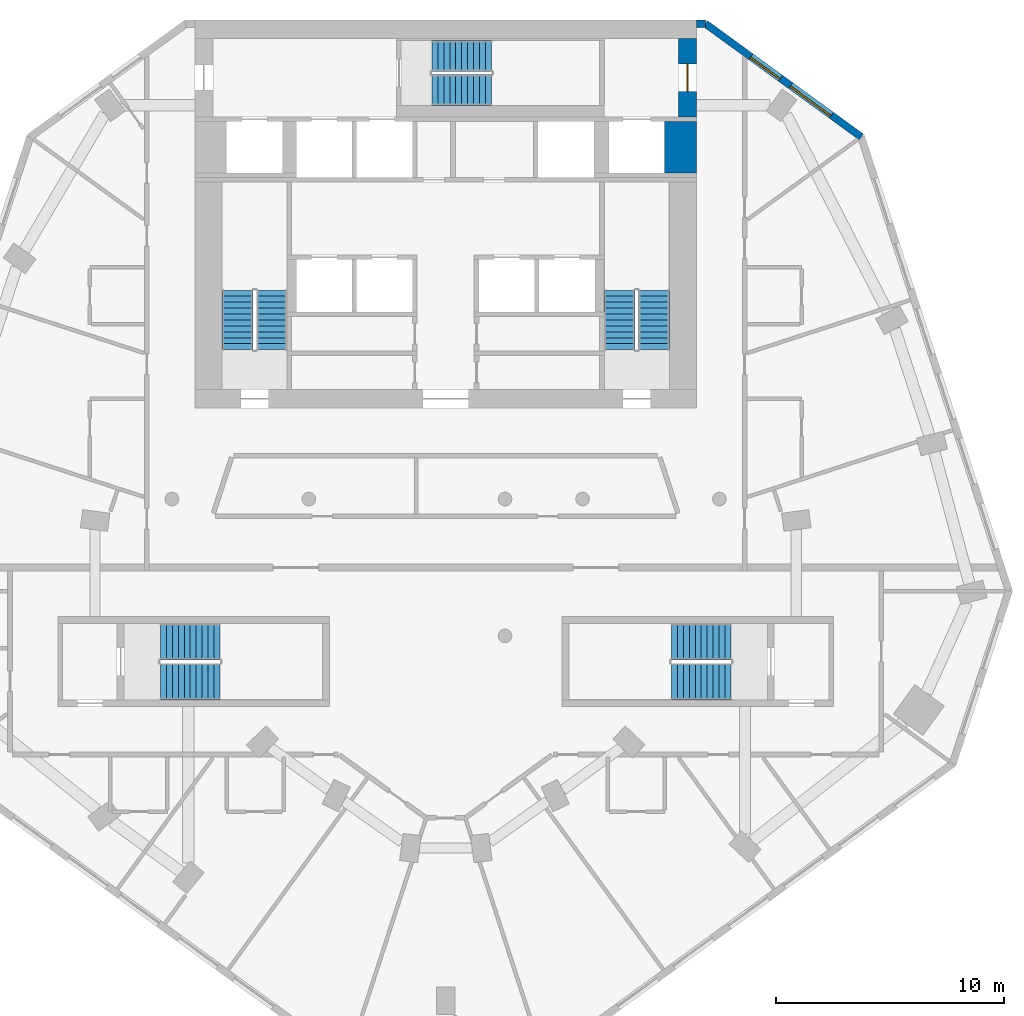
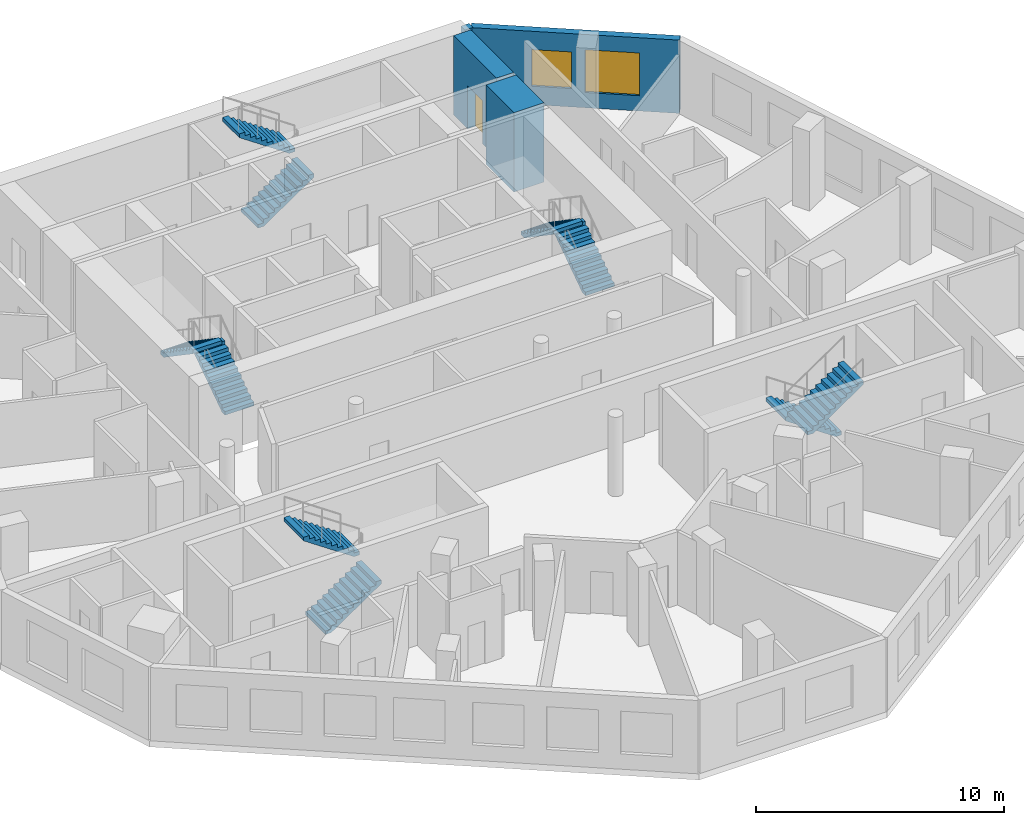
# One storey, part 7 of 9: 10 stair flights, 4 walls, 2 windows, 1 door, 3 openings, 5 elements without a shape of their own.
"""IFC4 building model written with IfcOpenShell, lengths in metres."""

from ifc_helpers import new_model, si_unit, direction, frame, frame_2d, origin, place, context, subcontext, project, spatial, polyline, rectangle, outline, extrude, material, layer, layer_set, type_object, element, fill, aggregate, save


model = new_model("IFC4")

# Units and contexts
model_context = context("Model", 3, precision=1e-05, world=origin(), true_north=direction((0.0, 1.0)))
body_context = subcontext(model_context, "Body", "Model", "MODEL_VIEW")
ifc_project = project(units=[si_unit("LENGTHUNIT", "METRE"), si_unit("AREAUNIT", "SQUARE_METRE"), si_unit("VOLUMEUNIT", "CUBIC_METRE"), si_unit("PLANEANGLEUNIT", "RADIAN"), si_unit("MASSUNIT", "GRAM", prefix="KILO")], contexts=[model_context])

# Site, building, storey
site_placement = place(None, origin())
site = spatial("IfcSite", under=ifc_project, at=site_placement, CompositionType="ELEMENT")
building_placement = place(site_placement, origin())
building = spatial("IfcBuilding", under=site, at=building_placement, Name="White Candle Pilgrim Tower", CompositionType="ELEMENT")
storey_placement = place(building_placement, frame((0.0, 0.0, 216.0)))
storey = spatial("IfcBuildingStorey", under=building, at=storey_placement, Name="L50", CompositionType="ELEMENT", Elevation=216.0)

# Wall
ifc_material_1 = material(Name="Concrete C50/60", Category="concrete")
ifc_layer_1 = layer(ifc_material_1, 1.39990234375)
ifc_layer_set_1 = layer_set([ifc_layer_1], Name="Core wall 1400 mm Concrete C50/60")
wall_type_1 = type_object("IfcWallType", Name="Core wall 1400 mm Concrete C50/60", PredefinedType="SHEAR", material=ifc_layer_set_1)
wall_1_placement = place(storey_placement, frame((80.300048828125, 81.300048828125, 0.0), z_axis=(0.0, 0.0, 1.0), x_axis=(0.0, 1.0, 0.0)))
element("IfcWall", 1, at=wall_1_placement, inside=storey, type_object=wall_type_1, Name="WL-L50-C46", PredefinedType="SHEAR", context=body_context, shape_type="SweptSolid", body=[
    extrude(rectangle(XDim=2.25, YDim=1.39990234375, at=frame_2d((1.125, 0.0))), origin(), (0.0, 0.0, 1.0), 3.89990234375),
])

# Wall, opening, door
ifc_layer_2 = layer(ifc_material_1, 0.800048828125)
ifc_layer_set_2 = layer_set([ifc_layer_2], Name="Core wall 800 mm Concrete C50/60")
wall_type_2 = type_object("IfcWallType", Name="Core wall 800 mm Concrete C50/60", PredefinedType="SHEAR", material=ifc_layer_set_2)
wall_2_placement = place(storey_placement, frame((80.60009765625, 83.75, 0.0), z_axis=(0.0, 0.0, 1.0), x_axis=(0.0, 1.0, 0.0)))
wall_2 = element("IfcWall", 2, at=wall_2_placement, inside=storey, type_object=wall_type_2, Name="WL-L50-C50", PredefinedType="SHEAR", context=body_context, shape_type="SweptSolid", body=[
    extrude(rectangle(XDim=3.449951171875, YDim=0.800048828125, at=frame_2d((1.72509765625, 0.0))), origin(), (0.0, 0.0, 1.0), 3.89990234375),
])
opening_1_placement = place(wall_2_placement, frame((1.125, 0.0, 0.0)))
opening_1 = element("IfcOpeningElement", 3, at=opening_1_placement, cuts=wall_2, Name="Opening T15-010", PredefinedType="OPENING", context=body_context, shape_type="SweptSolid", body=[
    extrude(rectangle(XDim=1.199951171875, YDim=2.10009765625, at=frame_2d((0.60009765625, 1.050048828125))), frame((0.0, 0.409912109375, 0.0), z_axis=(0.0, -1.0, 0.0), x_axis=(1.0, 0.0, 0.0)), (0.0, 0.0, 1.0), 0.820068359375),
])
ifc_material_2 = material(Name="Steel door leaf", Category="steel")
door_type = type_object("IfcDoorType", Name="Fire door 1200 x 2100 EI 30", OperationType="NOTDEFINED", PredefinedType="DOOR", material=ifc_material_2)
door_placement = place(opening_1_placement, origin())
door = element("IfcDoor", 4, at=door_placement, inside=storey, type_object=door_type, Name="Door T15-010", OperationType="SINGLE_SWING_RIGHT", OverallHeight=2.10009765625, OverallWidth=1.199951171875, PredefinedType="DOOR", context=body_context, shape_type="SweptSolid", body=[
    extrude(rectangle(XDim=1.199951171875, YDim=2.10009765625, at=frame_2d((0.60009765625, 1.050048828125))), frame((0.0, 0.02490234375, 0.0), z_axis=(0.0, -1.0, 0.0), x_axis=(1.0, 0.0, 0.0)), (0.0, 0.0, 1.0), 0.050048828125),
])
fill(opening_1, door)

# Wall, openings, windows
ifc_material_3 = material(Name="Precast concrete C40/50", Category="concrete")
ifc_layer_3 = layer(ifc_material_3, 0.320068359375)
ifc_layer_set_3 = layer_set([ifc_layer_3], Name="Facade wall EW1 precast concrete C40/50 pier wall with timber-lined reveals")
wall_type_3 = type_object("IfcWallType", Name="Facade wall EW1 precast concrete C40/50 pier wall with timber-lined reveals", PredefinedType="SOLIDWALL", material=ifc_layer_set_3)
wall_3_placement = place(storey_placement, frame((88.2177734375, 82.875732421875, 0.0), z_axis=(0.0, 0.0, 1.0), x_axis=(-0.809013499188, 0.587790062975, 0.0)))
wall_3 = element("IfcWall", 5, at=wall_3_placement, inside=storey, type_object=wall_type_3, Name="Facade wall L50 NE chamfer", PredefinedType="SOLIDWALL", context=body_context, shape_type="SweptSolid", body=[
    extrude(rectangle(XDim=8.44580078125, YDim=0.320068359375, at=frame_2d((4.222900390625, 0.0))), origin(), (0.0, 0.0, 1.0), 3.60009765625),
])
opening_2_placement = place(wall_3_placement, frame((1.622802734375, 0.0, 0.75)))
opening_2 = element("IfcOpeningElement", 6, at=opening_2_placement, cuts=wall_3, Name="Opening W4", PredefinedType="OPENING", context=body_context, shape_type="SweptSolid", body=[
    extrude(rectangle(XDim=2.199951171875, YDim=2.10009765625, at=frame_2d((1.10009765625, 1.050048828125))), frame((0.0, 0.169921875, 0.0), z_axis=(0.0, -1.0, 0.0), x_axis=(1.0, 0.0, 0.0)), (0.0, 0.0, 1.0), 0.340087890625),
])
opening_3_placement = place(wall_3_placement, frame((4.37939453125, 0.0, 0.89990234375)))
opening_3 = element("IfcOpeningElement", 7, at=opening_3_placement, cuts=wall_3, Name="Opening W2", PredefinedType="OPENING", context=body_context, shape_type="SweptSolid", body=[
    extrude(rectangle(XDim=1.60009765625, YDim=1.800048828125, at=frame_2d((0.800048828125, 0.89990234375))), frame((0.0, 0.169921875, 0.0), z_axis=(0.0, -1.0, 0.0), x_axis=(1.0, 0.0, 0.0)), (0.0, 0.0, 1.0), 0.340087890625),
])
ifc_material_4 = material(Name="Timber frame with triple glazing", Category="wood")
window_type_1 = type_object("IfcWindowType", Name="Window W2 1600x1800 timber frame triple glazing", PartitioningType="SINGLE_PANEL", PredefinedType="WINDOW", material=ifc_material_4)
window_1_placement = place(opening_3_placement, origin())
window_1 = element("IfcWindow", 8, at=window_1_placement, inside=storey, type_object=window_type_1, Name="Window W2 L50 NE chamfer 2", OverallHeight=1.800048828125, OverallWidth=1.60009765625, PartitioningType="SINGLE_PANEL", PredefinedType="WINDOW", context=body_context, shape_type="SweptSolid", body=[
    extrude(rectangle(XDim=1.60009765625, YDim=1.800048828125, at=frame_2d((0.800048828125, 0.89990234375))), frame((0.0, 0.070068359375, 0.0), z_axis=(0.0, -1.0, 0.0), x_axis=(1.0, 0.0, 0.0)), (0.0, 0.0, 1.0), 0.06005859375),
])
fill(opening_3, window_1)
window_type_2 = type_object("IfcWindowType", Name="Window W4 2200x2100 timber frame triple glazing", PartitioningType="SINGLE_PANEL", PredefinedType="WINDOW", material=ifc_material_4)
window_2_placement = place(opening_2_placement, origin())
window_2 = element("IfcWindow", 9, at=window_2_placement, inside=storey, type_object=window_type_2, Name="Window W4 L50 NE chamfer 1", OverallHeight=2.10009765625, OverallWidth=2.199951171875, PartitioningType="SINGLE_PANEL", PredefinedType="WINDOW", context=body_context, shape_type="SweptSolid", body=[
    extrude(rectangle(XDim=2.199951171875, YDim=2.10009765625, at=frame_2d((1.10009765625, 1.050048828125))), frame((0.0, 0.070068359375, 0.0), z_axis=(0.0, -1.0, 0.0), x_axis=(1.0, 0.0, 0.0)), (0.0, 0.0, 1.0), 0.06005859375),
])
fill(opening_2, window_2)

# Wall
wall_4_placement = place(storey_placement, frame((81.385009765625, 87.840087890625, 0.0), z_axis=(0.0, 0.0, 1.0), x_axis=(-1.0, 0.0, 0.0)))
element("IfcWall", 10, at=wall_4_placement, inside=storey, type_object=wall_type_3, Name="Facade wall L50 N", PredefinedType="SOLIDWALL", context=body_context, shape_type="SweptSolid", body=[
    extrude(rectangle(XDim=0.385009765625, YDim=0.320068359375, at=frame_2d((0.1923828125, 0.0))), origin(), (0.0, 0.0, 1.0), 3.60009765625),
])

# Stair, stair flights
ifc_material_5 = material(Name="Concrete C40/50", Category="concrete")
stair_type_1 = type_object("IfcStairType", Name="Exit stair 1 flight width 1350 mm", PredefinedType="HALF_TURN_STAIR", material=ifc_material_5)
stair_1_placement = place(storey_placement, origin())
stair_1 = element("IfcStair", 11, at=stair_1_placement, inside=storey, type_object=stair_type_1, Name="L50 stair 1", PredefinedType="NOTDEFINED")
ifc_layer_4 = layer(ifc_material_5, 0.14990234375)
ifc_layer_set_4 = layer_set([ifc_layer_4], Name="Stair flight Concrete C40/50")
stair_flight_type = type_object("IfcStairFlightType", Name="Stair flight Concrete C40/50", PredefinedType="STRAIGHT", material=ifc_layer_set_4)
stair_flight_1_placement = place(storey_placement, frame((62.375, 73.550048828125, 0.0), z_axis=(0.0, 0.0, 1.0), x_axis=(0.0, 1.0, 0.0)))
stair_flight_1 = element("IfcStairFlight", 12, at=stair_flight_1_placement, type_object=stair_flight_type, Name="ST1 flight 1", NumberOfRisers=11, NumberOfTreads=10, PredefinedType="NOTDEFINED", RiserHeight=0.177272727, TreadLength=0.26, context=body_context, shape_type="SweptSolid", body=[
    extrude(outline(polyline([(0.0, 0.0), (0.0, 0.17724609375), (0.260009765625, 0.17724609375), (0.260009765625, 0.3544921875), (0.52001953125, 0.3544921875), (0.52001953125, 0.53173828125), (0.780029296875, 0.53173828125), (0.780029296875, 0.708984375), (1.0400390625, 0.708984375), (1.0400390625, 0.886474609375), (1.300048828125, 0.886474609375), (1.300048828125, 1.063720703125), (1.56005859375, 1.063720703125), (1.56005859375, 1.240966796875), (1.820068359375, 1.240966796875), (1.820068359375, 1.418212890625), (2.080078125, 1.418212890625), (2.080078125, 1.595458984375), (2.340087890625, 1.595458984375), (2.340087890625, 1.772705078125), (2.60009765625, 1.772705078125), (2.60009765625, 1.949951171875), (2.60009765625, 1.59130859375), (0.26611328125, 0.0), (0.0, 0.0)])), frame((0.0, 0.675048828125, 0.0), z_axis=(0.0, -1.0, 0.0), x_axis=(1.0, 0.0, 0.0)), (0.0, 0.0, 1.0), 1.35009765625),
])
stair_flight_2_placement = place(storey_placement, frame((60.875, 76.14990234375, 1.949951171875), z_axis=(0.0, 0.0, 1.0), x_axis=(0.0, -1.0, 0.0)))
stair_flight_2 = element("IfcStairFlight", 13, at=stair_flight_2_placement, type_object=stair_flight_type, Name="ST1 flight 2", NumberOfRisers=11, NumberOfTreads=10, PredefinedType="NOTDEFINED", RiserHeight=0.177272727, TreadLength=0.26, context=body_context, shape_type="SweptSolid", body=[
    extrude(outline(polyline([(0.0, 0.0), (0.0, 0.17724609375), (0.260009765625, 0.17724609375), (0.260009765625, 0.3544921875), (0.52001953125, 0.3544921875), (0.52001953125, 0.53173828125), (0.780029296875, 0.53173828125), (0.780029296875, 0.708984375), (1.0400390625, 0.708984375), (1.0400390625, 0.886474609375), (1.300048828125, 0.886474609375), (1.300048828125, 1.063720703125), (1.56005859375, 1.063720703125), (1.56005859375, 1.240966796875), (1.820068359375, 1.240966796875), (1.820068359375, 1.418212890625), (2.080078125, 1.418212890625), (2.080078125, 1.595458984375), (2.340087890625, 1.595458984375), (2.340087890625, 1.772705078125), (2.60009765625, 1.772705078125), (2.60009765625, 1.949951171875), (2.60009765625, 1.59130859375), (0.26611328125, 0.0), (0.0, 0.0)])), frame((0.0, 0.675048828125, 0.0), z_axis=(0.0, -1.0, 0.0), x_axis=(1.0, 0.0, 0.0)), (0.0, 0.0, 1.0), 1.35009765625),
])
aggregate(stair_1, [stair_flight_1, stair_flight_2])

stair_type_2 = type_object("IfcStairType", Name="Exit stair 2 flight width 1350 mm", PredefinedType="HALF_TURN_STAIR", material=ifc_material_5)
stair_2_placement = place(storey_placement, origin())
stair_2 = element("IfcStair", 14, at=stair_2_placement, inside=storey, type_object=stair_type_2, Name="L50 stair 2", PredefinedType="NOTDEFINED")
stair_flight_3_placement = place(storey_placement, frame((79.125, 73.550048828125, 0.0), z_axis=(0.0, 0.0, 1.0), x_axis=(0.0, 1.0, 0.0)))
stair_flight_3 = element("IfcStairFlight", 15, at=stair_flight_3_placement, type_object=stair_flight_type, Name="ST2 flight 1", NumberOfRisers=11, NumberOfTreads=10, PredefinedType="NOTDEFINED", RiserHeight=0.177272727, TreadLength=0.26, context=body_context, shape_type="SweptSolid", body=[
    extrude(outline(polyline([(0.0, 0.0), (0.0, 0.17724609375), (0.260009765625, 0.17724609375), (0.260009765625, 0.3544921875), (0.52001953125, 0.3544921875), (0.52001953125, 0.53173828125), (0.780029296875, 0.53173828125), (0.780029296875, 0.708984375), (1.0400390625, 0.708984375), (1.0400390625, 0.886474609375), (1.300048828125, 0.886474609375), (1.300048828125, 1.063720703125), (1.56005859375, 1.063720703125), (1.56005859375, 1.240966796875), (1.820068359375, 1.240966796875), (1.820068359375, 1.418212890625), (2.080078125, 1.418212890625), (2.080078125, 1.595458984375), (2.340087890625, 1.595458984375), (2.340087890625, 1.772705078125), (2.60009765625, 1.772705078125), (2.60009765625, 1.949951171875), (2.60009765625, 1.59130859375), (0.26611328125, 0.0), (0.0, 0.0)])), frame((0.0, 0.675048828125, 0.0), z_axis=(0.0, -1.0, 0.0), x_axis=(1.0, 0.0, 0.0)), (0.0, 0.0, 1.0), 1.35009765625),
])
stair_flight_4_placement = place(storey_placement, frame((77.625, 76.14990234375, 1.949951171875), z_axis=(0.0, 0.0, 1.0), x_axis=(0.0, -1.0, 0.0)))
stair_flight_4 = element("IfcStairFlight", 16, at=stair_flight_4_placement, type_object=stair_flight_type, Name="ST2 flight 2", NumberOfRisers=11, NumberOfTreads=10, PredefinedType="NOTDEFINED", RiserHeight=0.177272727, TreadLength=0.26, context=body_context, shape_type="SweptSolid", body=[
    extrude(outline(polyline([(0.0, 0.0), (0.0, 0.17724609375), (0.260009765625, 0.17724609375), (0.260009765625, 0.3544921875), (0.52001953125, 0.3544921875), (0.52001953125, 0.53173828125), (0.780029296875, 0.53173828125), (0.780029296875, 0.708984375), (1.0400390625, 0.708984375), (1.0400390625, 0.886474609375), (1.300048828125, 0.886474609375), (1.300048828125, 1.063720703125), (1.56005859375, 1.063720703125), (1.56005859375, 1.240966796875), (1.820068359375, 1.240966796875), (1.820068359375, 1.418212890625), (2.080078125, 1.418212890625), (2.080078125, 1.595458984375), (2.340087890625, 1.595458984375), (2.340087890625, 1.772705078125), (2.60009765625, 1.772705078125), (2.60009765625, 1.949951171875), (2.60009765625, 1.59130859375), (0.26611328125, 0.0), (0.0, 0.0)])), frame((0.0, 0.675048828125, 0.0), z_axis=(0.0, -1.0, 0.0), x_axis=(1.0, 0.0, 0.0)), (0.0, 0.0, 1.0), 1.35009765625),
])
aggregate(stair_2, [stair_flight_3, stair_flight_4])

stair_type_3 = type_object("IfcStairType", Name="Exit stair 3 flight width 1350 mm", PredefinedType="HALF_TURN_STAIR", material=ifc_material_5)
stair_3_placement = place(storey_placement, origin())
stair_3 = element("IfcStair", 17, at=stair_3_placement, inside=storey, type_object=stair_type_3, Name="L50 stair 3", PredefinedType="NOTDEFINED")
stair_flight_5_placement = place(storey_placement, frame((69.39990234375, 84.925048828125, 0.0), z_axis=(0.0, 0.0, 1.0), x_axis=(1.0, 0.0, 0.0)))
stair_flight_5 = element("IfcStairFlight", 18, at=stair_flight_5_placement, type_object=stair_flight_type, Name="ST3 flight 1", NumberOfRisers=11, NumberOfTreads=10, PredefinedType="NOTDEFINED", RiserHeight=0.177272727, TreadLength=0.26, context=body_context, shape_type="SweptSolid", body=[
    extrude(outline(polyline([(0.0, 0.0), (0.0, 0.17724609375), (0.260009765625, 0.17724609375), (0.260009765625, 0.3544921875), (0.52001953125, 0.3544921875), (0.52001953125, 0.53173828125), (0.780029296875, 0.53173828125), (0.780029296875, 0.708984375), (1.0400390625, 0.708984375), (1.0400390625, 0.886474609375), (1.300048828125, 0.886474609375), (1.300048828125, 1.063720703125), (1.56005859375, 1.063720703125), (1.56005859375, 1.240966796875), (1.820068359375, 1.240966796875), (1.820068359375, 1.418212890625), (2.080078125, 1.418212890625), (2.080078125, 1.595458984375), (2.340087890625, 1.595458984375), (2.340087890625, 1.772705078125), (2.60009765625, 1.772705078125), (2.60009765625, 1.949951171875), (2.60009765625, 1.59130859375), (0.26611328125, 0.0), (0.0, 0.0)])), frame((0.0, 0.675048828125, 0.0), z_axis=(0.0, -1.0, 0.0), x_axis=(1.0, 0.0, 0.0)), (0.0, 0.0, 1.0), 1.35009765625),
])
stair_flight_6_placement = place(storey_placement, frame((72.0, 86.425048828125, 1.949951171875), z_axis=(0.0, 0.0, 1.0), x_axis=(-1.0, 0.0, 0.0)))
stair_flight_6 = element("IfcStairFlight", 19, at=stair_flight_6_placement, type_object=stair_flight_type, Name="ST3 flight 2", NumberOfRisers=11, NumberOfTreads=10, PredefinedType="NOTDEFINED", RiserHeight=0.177272727, TreadLength=0.26, context=body_context, shape_type="SweptSolid", body=[
    extrude(outline(polyline([(0.0, 0.0), (0.0, 0.17724609375), (0.260009765625, 0.17724609375), (0.260009765625, 0.3544921875), (0.52001953125, 0.3544921875), (0.52001953125, 0.53173828125), (0.780029296875, 0.53173828125), (0.780029296875, 0.708984375), (1.0400390625, 0.708984375), (1.0400390625, 0.886474609375), (1.300048828125, 0.886474609375), (1.300048828125, 1.063720703125), (1.56005859375, 1.063720703125), (1.56005859375, 1.240966796875), (1.820068359375, 1.240966796875), (1.820068359375, 1.418212890625), (2.080078125, 1.418212890625), (2.080078125, 1.595458984375), (2.340087890625, 1.595458984375), (2.340087890625, 1.772705078125), (2.60009765625, 1.772705078125), (2.60009765625, 1.949951171875), (2.60009765625, 1.59130859375), (0.26611328125, 0.0), (0.0, 0.0)])), frame((0.0, 0.675048828125, 0.0), z_axis=(0.0, -1.0, 0.0), x_axis=(1.0, 0.0, 0.0)), (0.0, 0.0, 1.0), 1.35009765625),
])
aggregate(stair_3, [stair_flight_5, stair_flight_6])

stair_type_4 = type_object("IfcStairType", Name="Exit stair 4 flight width 1600 mm", PredefinedType="HALF_TURN_STAIR", material=ifc_material_5)
stair_4_placement = place(storey_placement, origin())
stair_4 = element("IfcStair", 20, at=stair_4_placement, inside=storey, type_object=stair_type_4, Name="L50 stair 4", PredefinedType="NOTDEFINED")
stair_flight_7_placement = place(storey_placement, frame((82.5, 60.75, 0.0), z_axis=(0.0, 0.0, 1.0), x_axis=(-1.0, 0.0, 0.0)))
stair_flight_7 = element("IfcStairFlight", 21, at=stair_flight_7_placement, type_object=stair_flight_type, Name="ST4 flight 1", NumberOfRisers=11, NumberOfTreads=10, PredefinedType="NOTDEFINED", RiserHeight=0.177272727, TreadLength=0.26, context=body_context, shape_type="SweptSolid", body=[
    extrude(outline(polyline([(0.0, 0.0), (0.0, 0.17724609375), (0.260009765625, 0.17724609375), (0.260009765625, 0.3544921875), (0.52001953125, 0.3544921875), (0.52001953125, 0.53173828125), (0.780029296875, 0.53173828125), (0.780029296875, 0.708984375), (1.0400390625, 0.708984375), (1.0400390625, 0.886474609375), (1.300048828125, 0.886474609375), (1.300048828125, 1.063720703125), (1.56005859375, 1.063720703125), (1.56005859375, 1.240966796875), (1.820068359375, 1.240966796875), (1.820068359375, 1.418212890625), (2.080078125, 1.418212890625), (2.080078125, 1.595458984375), (2.340087890625, 1.595458984375), (2.340087890625, 1.772705078125), (2.60009765625, 1.772705078125), (2.60009765625, 1.949951171875), (2.60009765625, 1.59130859375), (0.26611328125, 0.0), (0.0, 0.0)])), frame((0.0, 0.800048828125, 0.0), z_axis=(0.0, -1.0, 0.0), x_axis=(1.0, 0.0, 0.0)), (0.0, 0.0, 1.0), 1.60009765625),
])
stair_flight_8_placement = place(storey_placement, frame((79.89990234375, 59.0, 1.949951171875), z_axis=(0.0, 0.0, 1.0), x_axis=(1.0, 0.0, 0.0)))
stair_flight_8 = element("IfcStairFlight", 22, at=stair_flight_8_placement, type_object=stair_flight_type, Name="ST4 flight 2", NumberOfRisers=11, NumberOfTreads=10, PredefinedType="NOTDEFINED", RiserHeight=0.177272727, TreadLength=0.26, context=body_context, shape_type="SweptSolid", body=[
    extrude(outline(polyline([(0.0, 0.0), (0.0, 0.17724609375), (0.260009765625, 0.17724609375), (0.260009765625, 0.3544921875), (0.52001953125, 0.3544921875), (0.52001953125, 0.53173828125), (0.780029296875, 0.53173828125), (0.780029296875, 0.708984375), (1.0400390625, 0.708984375), (1.0400390625, 0.886474609375), (1.300048828125, 0.886474609375), (1.300048828125, 1.063720703125), (1.56005859375, 1.063720703125), (1.56005859375, 1.240966796875), (1.820068359375, 1.240966796875), (1.820068359375, 1.418212890625), (2.080078125, 1.418212890625), (2.080078125, 1.595458984375), (2.340087890625, 1.595458984375), (2.340087890625, 1.772705078125), (2.60009765625, 1.772705078125), (2.60009765625, 1.949951171875), (2.60009765625, 1.59130859375), (0.26611328125, 0.0), (0.0, 0.0)])), frame((0.0, 0.800048828125, 0.0), z_axis=(0.0, -1.0, 0.0), x_axis=(1.0, 0.0, 0.0)), (0.0, 0.0, 1.0), 1.60009765625),
])
aggregate(stair_4, [stair_flight_7, stair_flight_8])

stair_type_5 = type_object("IfcStairType", Name="Exit stair 5 flight width 1600 mm", PredefinedType="HALF_TURN_STAIR", material=ifc_material_5)
stair_5_placement = place(storey_placement, origin())
stair_5 = element("IfcStair", 23, at=stair_5_placement, inside=storey, type_object=stair_type_5, Name="L50 stair 5", PredefinedType="NOTDEFINED")
stair_flight_9_placement = place(storey_placement, frame((57.5, 59.0, 0.0), z_axis=(0.0, 0.0, 1.0), x_axis=(1.0, 0.0, 0.0)))
stair_flight_9 = element("IfcStairFlight", 24, at=stair_flight_9_placement, type_object=stair_flight_type, Name="ST5 flight 1", NumberOfRisers=11, NumberOfTreads=10, PredefinedType="NOTDEFINED", RiserHeight=0.177272727, TreadLength=0.26, context=body_context, shape_type="SweptSolid", body=[
    extrude(outline(polyline([(0.0, 0.0), (0.0, 0.17724609375), (0.260009765625, 0.17724609375), (0.260009765625, 0.3544921875), (0.52001953125, 0.3544921875), (0.52001953125, 0.53173828125), (0.780029296875, 0.53173828125), (0.780029296875, 0.708984375), (1.0400390625, 0.708984375), (1.0400390625, 0.886474609375), (1.300048828125, 0.886474609375), (1.300048828125, 1.063720703125), (1.56005859375, 1.063720703125), (1.56005859375, 1.240966796875), (1.820068359375, 1.240966796875), (1.820068359375, 1.418212890625), (2.080078125, 1.418212890625), (2.080078125, 1.595458984375), (2.340087890625, 1.595458984375), (2.340087890625, 1.772705078125), (2.60009765625, 1.772705078125), (2.60009765625, 1.949951171875), (2.60009765625, 1.59130859375), (0.26611328125, 0.0), (0.0, 0.0)])), frame((0.0, 0.800048828125, 0.0), z_axis=(0.0, -1.0, 0.0), x_axis=(1.0, 0.0, 0.0)), (0.0, 0.0, 1.0), 1.60009765625),
])
stair_flight_10_placement = place(storey_placement, frame((60.10009765625, 60.75, 1.949951171875), z_axis=(0.0, 0.0, 1.0), x_axis=(-1.0, 0.0, 0.0)))
stair_flight_10 = element("IfcStairFlight", 25, at=stair_flight_10_placement, type_object=stair_flight_type, Name="ST5 flight 2", NumberOfRisers=11, NumberOfTreads=10, PredefinedType="NOTDEFINED", RiserHeight=0.177272727, TreadLength=0.26, context=body_context, shape_type="SweptSolid", body=[
    extrude(outline(polyline([(0.0, 0.0), (0.0, 0.17724609375), (0.260009765625, 0.17724609375), (0.260009765625, 0.3544921875), (0.52001953125, 0.3544921875), (0.52001953125, 0.53173828125), (0.780029296875, 0.53173828125), (0.780029296875, 0.708984375), (1.0400390625, 0.708984375), (1.0400390625, 0.886474609375), (1.300048828125, 0.886474609375), (1.300048828125, 1.063720703125), (1.56005859375, 1.063720703125), (1.56005859375, 1.240966796875), (1.820068359375, 1.240966796875), (1.820068359375, 1.418212890625), (2.080078125, 1.418212890625), (2.080078125, 1.595458984375), (2.340087890625, 1.595458984375), (2.340087890625, 1.772705078125), (2.60009765625, 1.772705078125), (2.60009765625, 1.949951171875), (2.60009765625, 1.59130859375), (0.26611328125, 0.0), (0.0, 0.0)])), frame((0.0, 0.800048828125, 0.0), z_axis=(0.0, -1.0, 0.0), x_axis=(1.0, 0.0, 0.0)), (0.0, 0.0, 1.0), 1.60009765625),
])
aggregate(stair_5, [stair_flight_9, stair_flight_10])

save(model, "model.ifc")
